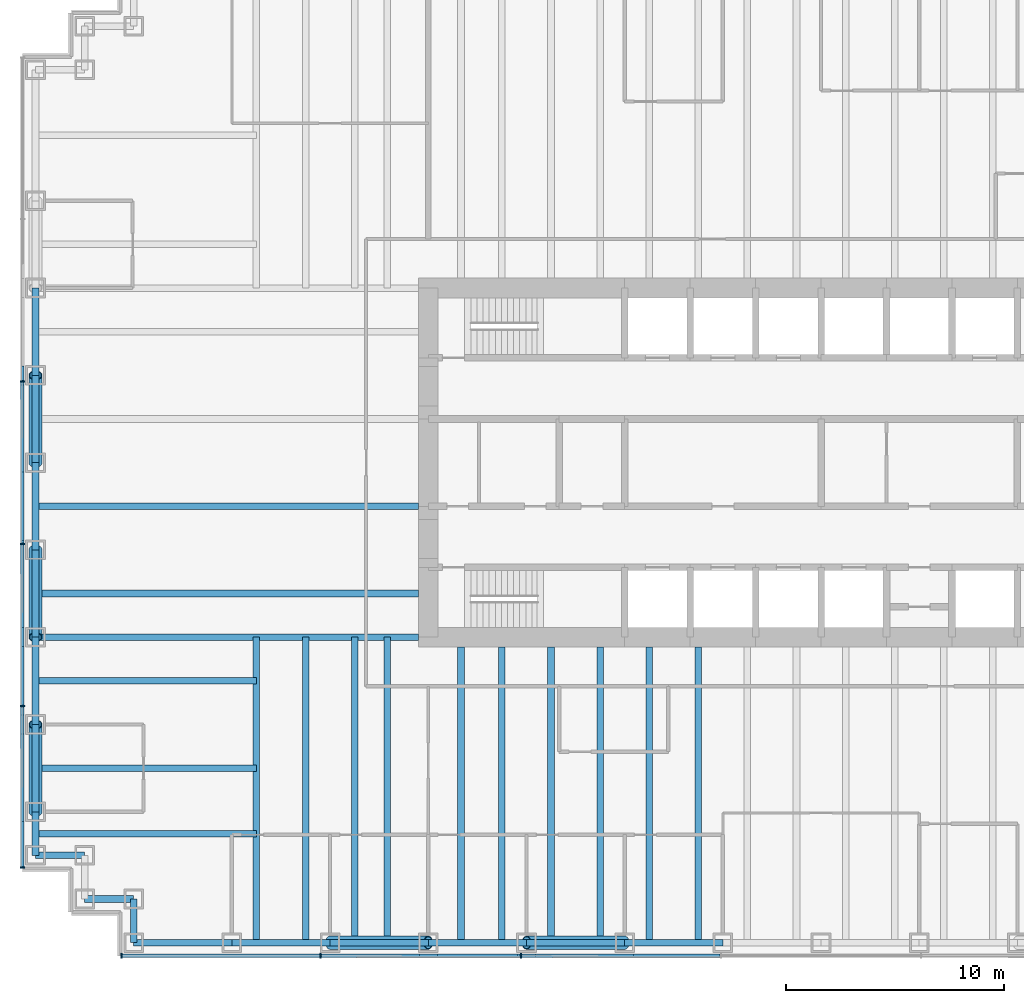
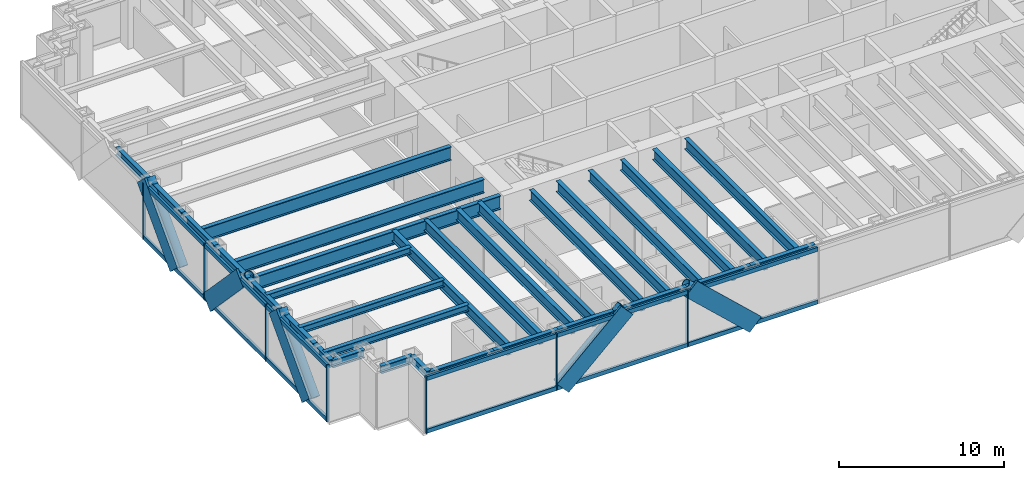
# One storey, part 2 of 15: 32 beams, 29 members, 2 elements without a shape of their own.
"""IFC4 building model written with IfcOpenShell, lengths in metres."""

from ifc_helpers import new_model, si_unit, direction, frame, origin, origin_2d, place, context, subcontext, project, spatial, rectangle, hollow_circle, i_section, extrude, material, material_profile, profile_set, type_object, element, aggregate, save


model = new_model("IFC4")

# Units and contexts
model_context = context("Model", 3, precision=1e-05, world=origin(), true_north=direction((0.0, 1.0)))
body_context = subcontext(model_context, "Body", "Model", "MODEL_VIEW")
ifc_project = project(units=[si_unit("LENGTHUNIT", "METRE"), si_unit("AREAUNIT", "SQUARE_METRE"), si_unit("VOLUMEUNIT", "CUBIC_METRE"), si_unit("PLANEANGLEUNIT", "RADIAN"), si_unit("MASSUNIT", "GRAM", prefix="KILO")], contexts=[model_context])

# Site, building, storey
site_placement = place(None, origin())
site = spatial("IfcSite", under=ifc_project, at=site_placement, CompositionType="ELEMENT")
building_placement = place(site_placement, origin())
building = spatial("IfcBuilding", under=site, at=building_placement, Name="Rheinbord Bourse Tower", CompositionType="ELEMENT")
storey_placement = place(building_placement, frame((0.0, 0.0, 163.5)))
storey = spatial("IfcBuildingStorey", under=building, at=storey_placement, Name="L36", CompositionType="ELEMENT", Elevation=163.5)

# Curtain wall, members
ifc_material_1 = material(Name="Dark glass and black aluminium", Category="aluminium")
curtain_wall_type = type_object("IfcCurtainWallType", Name="CW2 DARK GLASS CURTAIN WALL", PredefinedType="USERDEFINED", material=ifc_material_1)
curtain_wall_1_placement = place(storey_placement, origin())
curtain_wall_1 = element("IfcCurtainWall", 1, at=curtain_wall_1_placement, inside=storey, type_object=curtain_wall_type, Name="Curtain wall CW2 S L36", ObjectType="UNITISED CURTAIN WALL", PredefinedType="USERDEFINED")
ifc_material_2 = material(Name="Black anodised aluminium", Category="aluminium")
ifc_material_profile_1 = material_profile(ifc_material_2, rectangle(XDim=0.159912109375, YDim=1.2099609375, at=origin_2d()), Name="CW2 DIAGONAL MULLION 1210x160")
ifc_profile_set_1 = profile_set([ifc_material_profile_1], Name="Black anodised aluminium")
member_type_1 = type_object("IfcMemberType", Name="CW2 BLACK DIAGONAL MULLION", PredefinedType="USERDEFINED", material=ifc_profile_set_1)
member_1_placement = place(storey_placement, frame((27.0, 1.39990234375, 0.0), z_axis=(-0.73105922506, 0.0, 0.682314010889), x_axis=(0.0, -1.0, 0.0)))
member_1 = element("IfcMember", 2, at=member_1_placement, type_object=member_type_1, Name="CW2 diagonal mullion b", ObjectType="DIAGONAL MULLION", PredefinedType="USERDEFINED", context=body_context, shape_type="SweptSolid", body=[
    extrude(rectangle(XDim=0.159912109375, YDim=1.2099609375, at=origin_2d()), origin(), (0.0, 0.0, 1.0), 6.155517578125),
])
member_2_placement = place(storey_placement, frame((13.5, 1.39990234375, 0.0), z_axis=(0.73105922506, 0.0, 0.682314010889), x_axis=(0.0, 1.0, 0.0)))
member_2 = element("IfcMember", 3, at=member_2_placement, type_object=member_type_1, Name="CW2 diagonal mullion d", ObjectType="DIAGONAL MULLION", PredefinedType="USERDEFINED", context=body_context, shape_type="SweptSolid", body=[
    extrude(rectangle(XDim=0.159912109375, YDim=1.2099609375, at=origin_2d()), origin(), (0.0, 0.0, 1.0), 6.155517578125),
])

curtain_wall_2_placement = place(storey_placement, origin())
curtain_wall_2 = element("IfcCurtainWall", 4, at=curtain_wall_2_placement, inside=storey, type_object=curtain_wall_type, Name="Curtain wall CW2 W L36", ObjectType="UNITISED CURTAIN WALL", PredefinedType="USERDEFINED")
member_3_placement = place(storey_placement, frame((-0.60009765625, 8.0, 0.0), z_axis=(0.0, 0.689659376744, 0.724133926887), x_axis=(-1.0, 0.0, 0.0)))
member_3 = element("IfcMember", 5, at=member_3_placement, type_object=member_type_1, Name="CW2 diagonal mullion a", ObjectType="DIAGONAL MULLION", PredefinedType="USERDEFINED", context=body_context, shape_type="SweptSolid", body=[
    extrude(rectangle(XDim=0.159912109375, YDim=1.2099609375, at=origin_2d()), origin(), (0.0, 0.0, 1.0), 5.800048828125),
])
member_4_placement = place(storey_placement, frame((-0.60009765625, 24.0, 0.0), z_axis=(0.0, 0.689659376744, 0.724133926887), x_axis=(-1.0, 0.0, 0.0)))
member_4 = element("IfcMember", 6, at=member_4_placement, type_object=member_type_1, Name="CW2 diagonal mullion c", ObjectType="DIAGONAL MULLION", PredefinedType="USERDEFINED", context=body_context, shape_type="SweptSolid", body=[
    extrude(rectangle(XDim=0.159912109375, YDim=1.2099609375, at=origin_2d()), origin(), (0.0, 0.0, 1.0), 5.800048828125),
])
member_5_placement = place(storey_placement, frame((-0.60009765625, 20.0, 0.0), z_axis=(0.0, -0.689659376744, 0.724133926887), x_axis=(1.0, 0.0, 0.0)))
member_5 = element("IfcMember", 7, at=member_5_placement, type_object=member_type_1, Name="CW2 diagonal mullion d", ObjectType="DIAGONAL MULLION", PredefinedType="USERDEFINED", context=body_context, shape_type="SweptSolid", body=[
    extrude(rectangle(XDim=0.159912109375, YDim=1.2099609375, at=origin_2d()), origin(), (0.0, 0.0, 1.0), 5.800048828125),
])

# Member
ifc_material_3 = material(Name="Black anodised aluminium", Category="aluminium")
ifc_material_profile_2 = material_profile(ifc_material_3, rectangle(XDim=0.219970703125, YDim=0.070068359375, at=origin_2d()), Name="CW2 MULLION 70x220")
ifc_profile_set_2 = profile_set([ifc_material_profile_2], Name="Black anodised aluminium")
member_type_2 = type_object("IfcMemberType", Name="CW2 BLACK MULLION", PredefinedType="MULLION", material=ifc_profile_set_2)
member_6_placement = place(storey_placement, frame((3.93505859375, 1.39990234375, 0.0), z_axis=(0.0, 0.0, 1.0), x_axis=(0.0, 1.0, 0.0)))
member_6 = element("IfcMember", 8, at=member_6_placement, type_object=member_type_2, Name="CW2 mullion 1", PredefinedType="MULLION", context=body_context, shape_type="SweptSolid", body=[
    extrude(rectangle(XDim=0.219970703125, YDim=0.070068359375, at=origin_2d()), origin(), (0.0, 0.0, 1.0), 4.199951171875),
])

member_7_placement = place(storey_placement, frame((13.071533203125, 1.39990234375, 0.0), z_axis=(0.0, 0.0, 1.0), x_axis=(0.0, 1.0, 0.0)))
member_7 = element("IfcMember", 9, at=member_7_placement, type_object=member_type_2, Name="CW2 mullion 2", PredefinedType="MULLION", context=body_context, shape_type="SweptSolid", body=[
    extrude(rectangle(XDim=0.219970703125, YDim=0.070068359375, at=origin_2d()), origin(), (0.0, 0.0, 1.0), 4.199951171875),
])

member_8_placement = place(storey_placement, frame((22.242919921875, 1.39990234375, 0.0), z_axis=(0.0, 0.0, 1.0), x_axis=(0.0, 1.0, 0.0)))
member_8 = element("IfcMember", 10, at=member_8_placement, type_object=member_type_2, Name="CW2 mullion 3", PredefinedType="MULLION", context=body_context, shape_type="SweptSolid", body=[
    extrude(rectangle(XDim=0.219970703125, YDim=0.070068359375, at=origin_2d()), origin(), (0.0, 0.0, 1.0), 4.199951171875),
])

member_9_placement = place(storey_placement, frame((-0.60009765625, 27.719970703125, 0.0), z_axis=(0.0, 0.0, 1.0), x_axis=(1.0, 0.0, 0.0)))
member_9 = element("IfcMember", 11, at=member_9_placement, type_object=member_type_2, Name="CW2 mullion 3", PredefinedType="MULLION", context=body_context, shape_type="SweptSolid", body=[
    extrude(rectangle(XDim=0.219970703125, YDim=0.070068359375, at=origin_2d()), origin(), (0.0, 0.0, 1.0), 4.199951171875),
])

member_10_placement = place(storey_placement, frame((-0.60009765625, 20.280029296875, 0.0), z_axis=(0.0, 0.0, 1.0), x_axis=(1.0, 0.0, 0.0)))
member_10 = element("IfcMember", 12, at=member_10_placement, type_object=member_type_2, Name="CW2 mullion 4", PredefinedType="MULLION", context=body_context, shape_type="SweptSolid", body=[
    extrude(rectangle(XDim=0.219970703125, YDim=0.070068359375, at=origin_2d()), origin(), (0.0, 0.0, 1.0), 4.199951171875),
])

member_11_placement = place(storey_placement, frame((-0.60009765625, 12.840087890625, 0.0), z_axis=(0.0, 0.0, 1.0), x_axis=(1.0, 0.0, 0.0)))
member_11 = element("IfcMember", 13, at=member_11_placement, type_object=member_type_2, Name="CW2 mullion 5", PredefinedType="MULLION", context=body_context, shape_type="SweptSolid", body=[
    extrude(rectangle(XDim=0.219970703125, YDim=0.070068359375, at=origin_2d()), origin(), (0.0, 0.0, 1.0), 4.199951171875),
])

member_12_placement = place(storey_placement, frame((-0.60009765625, 5.43505859375, 0.0), z_axis=(0.0, 0.0, 1.0), x_axis=(1.0, 0.0, 0.0)))
member_12 = element("IfcMember", 14, at=member_12_placement, type_object=member_type_2, Name="CW2 mullion 6", PredefinedType="MULLION", context=body_context, shape_type="SweptSolid", body=[
    extrude(rectangle(XDim=0.219970703125, YDim=0.070068359375, at=origin_2d()), origin(), (0.0, 0.0, 1.0), 4.199951171875),
])

ifc_material_4 = material(Name="Black anodised aluminium", Category="aluminium")
ifc_material_profile_3 = material_profile(ifc_material_4, rectangle(XDim=0.159912109375, YDim=0.300048828125, at=origin_2d()), Name="CW2 TRANSOM 300x160")
ifc_profile_set_3 = profile_set([ifc_material_profile_3], Name="Black anodised aluminium")
member_type_3 = type_object("IfcMemberType", Name="CW2 BLACK TRANSOM", PredefinedType="USERDEFINED", material=ifc_profile_set_3)
member_13_placement = place(storey_placement, frame((3.969970703125, 1.39990234375, 0.14990234375), z_axis=(1.0, 0.0, 0.0), x_axis=(0.0, 1.0, 0.0)))
member_13 = element("IfcMember", 15, at=member_13_placement, type_object=member_type_3, Name="CW2 transom 1.1", ObjectType="TRANSOM", PredefinedType="USERDEFINED", context=body_context, shape_type="SweptSolid", body=[
    extrude(rectangle(XDim=0.159912109375, YDim=0.300048828125, at=origin_2d()), origin(), (0.0, 0.0, 1.0), 9.06640625),
])

member_14_placement = place(storey_placement, frame((3.969970703125, 1.39990234375, 4.050048828125), z_axis=(1.0, 0.0, 0.0), x_axis=(0.0, 1.0, 0.0)))
member_14 = element("IfcMember", 16, at=member_14_placement, type_object=member_type_3, Name="CW2 transom 1.2", ObjectType="TRANSOM", PredefinedType="USERDEFINED", context=body_context, shape_type="SweptSolid", body=[
    extrude(rectangle(XDim=0.159912109375, YDim=0.300048828125, at=origin_2d()), origin(), (0.0, 0.0, 1.0), 9.06640625),
])

member_15_placement = place(storey_placement, frame((13.1064453125, 1.39990234375, 0.14990234375), z_axis=(1.0, 0.0, 0.0), x_axis=(0.0, 1.0, 0.0)))
member_15 = element("IfcMember", 17, at=member_15_placement, type_object=member_type_3, Name="CW2 transom 2.1", ObjectType="TRANSOM", PredefinedType="USERDEFINED", context=body_context, shape_type="SweptSolid", body=[
    extrude(rectangle(XDim=0.159912109375, YDim=0.300048828125, at=origin_2d()), origin(), (0.0, 0.0, 1.0), 9.101318359375),
])

member_16_placement = place(storey_placement, frame((13.1064453125, 1.39990234375, 4.050048828125), z_axis=(1.0, 0.0, 0.0), x_axis=(0.0, 1.0, 0.0)))
member_16 = element("IfcMember", 18, at=member_16_placement, type_object=member_type_3, Name="CW2 transom 2.2", ObjectType="TRANSOM", PredefinedType="USERDEFINED", context=body_context, shape_type="SweptSolid", body=[
    extrude(rectangle(XDim=0.159912109375, YDim=0.300048828125, at=origin_2d()), origin(), (0.0, 0.0, 1.0), 9.101318359375),
])

member_17_placement = place(storey_placement, frame((22.27783203125, 1.39990234375, 0.14990234375), z_axis=(1.0, 0.0, 0.0), x_axis=(0.0, 1.0, 0.0)))
member_17 = element("IfcMember", 19, at=member_17_placement, type_object=member_type_3, Name="CW2 transom 3.1", ObjectType="TRANSOM", PredefinedType="USERDEFINED", context=body_context, shape_type="SweptSolid", body=[
    extrude(rectangle(XDim=0.159912109375, YDim=0.300048828125, at=origin_2d()), origin(), (0.0, 0.0, 1.0), 9.1015625),
])

member_18_placement = place(storey_placement, frame((22.27783203125, 1.39990234375, 4.050048828125), z_axis=(1.0, 0.0, 0.0), x_axis=(0.0, 1.0, 0.0)))
member_18 = element("IfcMember", 20, at=member_18_placement, type_object=member_type_3, Name="CW2 transom 3.2", ObjectType="TRANSOM", PredefinedType="USERDEFINED", context=body_context, shape_type="SweptSolid", body=[
    extrude(rectangle(XDim=0.159912109375, YDim=0.300048828125, at=origin_2d()), origin(), (0.0, 0.0, 1.0), 9.1015625),
])

aggregate(curtain_wall_1, [member_6, member_7, member_8, member_13, member_14, member_15, member_16, member_17, member_18, member_1, member_2])

member_19_placement = place(storey_placement, frame((-0.60009765625, 27.68505859375, 0.14990234375), z_axis=(0.0, -1.0, 0.0), x_axis=(1.0, 0.0, 0.0)))
member_19 = element("IfcMember", 21, at=member_19_placement, type_object=member_type_3, Name="CW2 transom 3.1", ObjectType="TRANSOM", PredefinedType="USERDEFINED", context=body_context, shape_type="SweptSolid", body=[
    extrude(rectangle(XDim=0.159912109375, YDim=0.300048828125, at=origin_2d()), origin(), (0.0, 0.0, 1.0), 7.3701171875),
])

member_20_placement = place(storey_placement, frame((-0.60009765625, 27.68505859375, 4.050048828125), z_axis=(0.0, -1.0, 0.0), x_axis=(1.0, 0.0, 0.0)))
member_20 = element("IfcMember", 22, at=member_20_placement, type_object=member_type_3, Name="CW2 transom 3.2", ObjectType="TRANSOM", PredefinedType="USERDEFINED", context=body_context, shape_type="SweptSolid", body=[
    extrude(rectangle(XDim=0.159912109375, YDim=0.300048828125, at=origin_2d()), origin(), (0.0, 0.0, 1.0), 7.3701171875),
])

member_21_placement = place(storey_placement, frame((-0.60009765625, 20.2451171875, 0.14990234375), z_axis=(0.0, -1.0, 0.0), x_axis=(1.0, 0.0, 0.0)))
member_21 = element("IfcMember", 23, at=member_21_placement, type_object=member_type_3, Name="CW2 transom 4.1", ObjectType="TRANSOM", PredefinedType="USERDEFINED", context=body_context, shape_type="SweptSolid", body=[
    extrude(rectangle(XDim=0.159912109375, YDim=0.300048828125, at=origin_2d()), origin(), (0.0, 0.0, 1.0), 7.3701171875),
])

member_22_placement = place(storey_placement, frame((-0.60009765625, 20.2451171875, 4.050048828125), z_axis=(0.0, -1.0, 0.0), x_axis=(1.0, 0.0, 0.0)))
member_22 = element("IfcMember", 24, at=member_22_placement, type_object=member_type_3, Name="CW2 transom 4.2", ObjectType="TRANSOM", PredefinedType="USERDEFINED", context=body_context, shape_type="SweptSolid", body=[
    extrude(rectangle(XDim=0.159912109375, YDim=0.300048828125, at=origin_2d()), origin(), (0.0, 0.0, 1.0), 7.3701171875),
])

member_23_placement = place(storey_placement, frame((-0.60009765625, 12.804931640625, 0.14990234375), z_axis=(0.0, -1.0, 0.0), x_axis=(1.0, 0.0, 0.0)))
member_23 = element("IfcMember", 25, at=member_23_placement, type_object=member_type_3, Name="CW2 transom 5.1", ObjectType="TRANSOM", PredefinedType="USERDEFINED", context=body_context, shape_type="SweptSolid", body=[
    extrude(rectangle(XDim=0.159912109375, YDim=0.300048828125, at=origin_2d()), origin(), (0.0, 0.0, 1.0), 7.3349609375),
])

member_24_placement = place(storey_placement, frame((-0.60009765625, 12.804931640625, 4.050048828125), z_axis=(0.0, -1.0, 0.0), x_axis=(1.0, 0.0, 0.0)))
member_24 = element("IfcMember", 26, at=member_24_placement, type_object=member_type_3, Name="CW2 transom 5.2", ObjectType="TRANSOM", PredefinedType="USERDEFINED", context=body_context, shape_type="SweptSolid", body=[
    extrude(rectangle(XDim=0.159912109375, YDim=0.300048828125, at=origin_2d()), origin(), (0.0, 0.0, 1.0), 7.3349609375),
])

aggregate(curtain_wall_2, [member_9, member_10, member_11, member_12, member_19, member_20, member_21, member_22, member_23, member_24, member_3, member_4, member_5])

# Beams
ifc_material_5 = material(Name="Steel S460", Category="steel")
ifc_material_profile_4 = material_profile(ifc_material_5, i_section(OverallWidth=0.302001953125, OverallDepth=1.008056640625, WebThickness=0.02099609375, FlangeThickness=0.0400390625, at=origin_2d()), Name="HEM 1000")
ifc_profile_set_4 = profile_set([ifc_material_profile_4], Name="Steel S460")
beam_type_1 = type_object("IfcBeamType", Name="END BEAM HEM 1000", PredefinedType="BEAM", material=ifc_profile_set_4)
for number, where, z_axis, x_axis, name in (
    (27, (0.0, 18.0, 3.535888671875), (1.0, 0.0, 0.0), (0.0, 1.0, 0.0), "End beam west 18 L37"),
    (28, (0.0, 22.0, 3.535888671875), (1.0, 0.0, 0.0), (0.0, 1.0, 0.0), "End beam west 22 L37"),
):
    element("IfcBeam", number, at=place(storey_placement, frame(where, z_axis=z_axis, x_axis=x_axis)), inside=storey, type_object=beam_type_1, Name=name, PredefinedType="BEAM", context=body_context, shape_type="SweptSolid", body=[
        extrude(i_section(OverallWidth=0.302001953125, OverallDepth=1.008056640625, WebThickness=0.02099609375, FlangeThickness=0.0400390625, at=origin_2d()), origin(), (0.0, 0.0, 1.0), 17.550048828125),
    ])
ifc_material_6 = material(Name="Steel S460", Category="steel")
ifc_material_profile_5 = material_profile(ifc_material_6, i_section(OverallWidth=0.300048828125, OverallDepth=0.800048828125, WebThickness=0.017578125, FlangeThickness=0.032958984375, at=origin_2d()), Name="HEB 800")
ifc_profile_set_5 = profile_set([ifc_material_profile_5], Name="Steel S460")
beam_type_2 = type_object("IfcBeamType", Name="FLOOR BEAM HEB 800", PredefinedType="BEAM", material=ifc_profile_set_5)
for number, where, z_axis, x_axis, name in (
    (29, (10.125, 2.0, 3.639892578125), (0.0, 1.0, 0.0), (-1.0, 0.0, 0.0), "Floor beam S-9a L37"),
    (30, (12.375, 2.0, 3.639892578125), (0.0, 1.0, 0.0), (-1.0, 0.0, 0.0), "Floor beam S-9b L37"),
    (31, (14.625, 2.0, 3.639892578125), (0.0, 1.0, 0.0), (-1.0, 0.0, 0.0), "Floor beam S-13.5a L37"),
    (32, (16.125, 2.0, 3.639892578125), (0.0, 1.0, 0.0), (-1.0, 0.0, 0.0), "Floor beam S-13.5b L37"),
):
    element("IfcBeam", number, at=place(storey_placement, frame(where, z_axis=z_axis, x_axis=x_axis)), inside=storey, type_object=beam_type_2, Name=name, PredefinedType="BEAM", context=body_context, shape_type="SweptSolid", body=[
        extrude(i_section(OverallWidth=0.300048828125, OverallDepth=0.800048828125, WebThickness=0.017578125, FlangeThickness=0.032958984375, at=origin_2d()), origin(), (0.0, 0.0, 1.0), 14.0),
    ])
for number, where, z_axis, x_axis, name in (
    (33, (19.5, 2.0, 3.639892578125), (0.0, 1.0, 0.0), (-1.0, 0.0, 0.0), "Floor beam S-18a L37"),
    (34, (21.375, 2.0, 3.639892578125), (0.0, 1.0, 0.0), (-1.0, 0.0, 0.0), "Floor beam S-18b L37"),
    (35, (23.625, 2.0, 3.639892578125), (0.0, 1.0, 0.0), (-1.0, 0.0, 0.0), "Floor beam S-22.5a L37"),
    (36, (25.875, 2.0, 3.639892578125), (0.0, 1.0, 0.0), (-1.0, 0.0, 0.0), "Floor beam S-22.5b L37"),
    (37, (28.125, 2.0, 3.639892578125), (0.0, 1.0, 0.0), (-1.0, 0.0, 0.0), "Floor beam S-27a L37"),
    (38, (30.375, 2.0, 3.639892578125), (0.0, 1.0, 0.0), (-1.0, 0.0, 0.0), "Floor beam S-27b L37"),
):
    element("IfcBeam", number, at=place(storey_placement, frame(where, z_axis=z_axis, x_axis=x_axis)), inside=storey, type_object=beam_type_2, Name=name, PredefinedType="BEAM", context=body_context, shape_type="SweptSolid", body=[
        extrude(i_section(OverallWidth=0.300048828125, OverallDepth=0.800048828125, WebThickness=0.017578125, FlangeThickness=0.032958984375, at=origin_2d()), origin(), (0.0, 0.0, 1.0), 13.550048828125),
    ])
ifc_material_7 = material(Name="Steel S460", Category="steel")
ifc_material_profile_6 = material_profile(ifc_material_7, i_section(OverallWidth=0.302001953125, OverallDepth=1.008056640625, WebThickness=0.02099609375, FlangeThickness=0.0400390625, at=origin_2d()), Name="HEM 1000")
ifc_profile_set_6 = profile_set([ifc_material_profile_6], Name="Steel S460")
beam_type_3 = type_object("IfcBeamType", Name="GIRDER HEM 1000", PredefinedType="BEAM", material=ifc_profile_set_6)
beam_1_placement = place(storey_placement, frame((0.0, 16.0, 3.535888671875), z_axis=(1.0, 0.0, 0.0), x_axis=(0.0, 1.0, 0.0)))
element("IfcBeam", 39, at=beam_1_placement, inside=storey, type_object=beam_type_3, Name="Girder west 16 L37", PredefinedType="BEAM", context=body_context, shape_type="SweptSolid", body=[
    extrude(i_section(OverallWidth=0.302001953125, OverallDepth=1.008056640625, WebThickness=0.02099609375, FlangeThickness=0.0400390625, at=origin_2d()), origin(), (0.0, 0.0, 1.0), 17.550048828125),
])

# Members
ifc_material_8 = material(Name="Steel S460", Category="steel")
ifc_material_profile_7 = material_profile(ifc_material_8, hollow_circle(Radius=0.304931640625, WallThickness=0.0400390625, at=origin_2d()), Name="CHS 610x40")
ifc_profile_set_7 = profile_set([ifc_material_profile_7], Name="Steel S460")
member_type_4 = type_object("IfcMemberType", Name="MEGABRACE CHS 610x40", PredefinedType="BRACE", material=ifc_profile_set_7)
for number, where, z_axis, x_axis, name in (
    (40, (27.0, 2.0, 0.0), (-0.73105922506, 0.0, 0.682314010889), (0.0, -1.0, 0.0), "Megabrace S face line b L36"),
    (41, (13.5, 2.0, 0.0), (0.73105922506, 0.0, 0.682314010889), (0.0, 1.0, 0.0), "Megabrace S face line d L36"),
):
    element("IfcMember", number, at=place(storey_placement, frame(where, z_axis=z_axis, x_axis=x_axis)), inside=storey, type_object=member_type_4, Name=name, PredefinedType="BRACE", context=body_context, shape_type="SweptSolid", body=[
        extrude(hollow_circle(Radius=0.304931640625, WallThickness=0.0400390625, at=origin_2d()), origin(), (0.0, 0.0, 1.0), 6.155517578125),
    ])
for number, where, z_axis, x_axis, name in (
    (42, (0.0, 8.0, 0.0), (0.0, 0.689659376744, 0.724133926887), (-1.0, 0.0, 0.0), "Megabrace W face line a L36"),
    (43, (0.0, 24.0, 0.0), (0.0, 0.689659376744, 0.724133926887), (-1.0, 0.0, 0.0), "Megabrace W face line c L36"),
    (44, (0.0, 20.0, 0.0), (0.0, -0.689659376744, 0.724133926887), (1.0, 0.0, 0.0), "Megabrace W face line d L36"),
):
    element("IfcMember", number, at=place(storey_placement, frame(where, z_axis=z_axis, x_axis=x_axis)), inside=storey, type_object=member_type_4, Name=name, PredefinedType="BRACE", context=body_context, shape_type="SweptSolid", body=[
        extrude(hollow_circle(Radius=0.304931640625, WallThickness=0.0400390625, at=origin_2d()), origin(), (0.0, 0.0, 1.0), 5.800048828125),
    ])

# Beams
ifc_material_9 = material(Name="Steel S460", Category="steel")
ifc_material_profile_8 = material_profile(ifc_material_9, i_section(OverallWidth=0.305908203125, OverallDepth=0.572021484375, WebThickness=0.02099609375, FlangeThickness=0.0400390625, at=origin_2d()), Name="HEM 550")
ifc_profile_set_8 = profile_set([ifc_material_profile_8], Name="Steel S460")
beam_type_4 = type_object("IfcBeamType", Name="SPANDREL HEM 550", PredefinedType="SPANDREL", material=ifc_profile_set_8)
for number, where, z_axis, x_axis, name in (
    (45, (4.5, 2.0, 3.75390625), (1.0, 0.0, 0.0), (0.0, 1.0, 0.0), "Spandrel SW-E-S-9 under L37"),
    (46, (9.0, 2.0, 3.75390625), (1.0, 0.0, 0.0), (0.0, 1.0, 0.0), "Spandrel S-9-S-13.5 under L37"),
    (47, (13.5, 2.0, 3.75390625), (1.0, 0.0, 0.0), (0.0, 1.0, 0.0), "Spandrel S-13.5-S-18 under L37"),
    (48, (18.0, 2.0, 3.75390625), (1.0, 0.0, 0.0), (0.0, 1.0, 0.0), "Spandrel S-18-S-22.5 under L37"),
    (49, (22.5, 2.0, 3.75390625), (1.0, 0.0, 0.0), (0.0, 1.0, 0.0), "Spandrel S-22.5-S-27 under L37"),
    (50, (27.0, 2.0, 3.75390625), (1.0, 0.0, 0.0), (0.0, 1.0, 0.0), "Spandrel S-27-S-31.5 under L37"),
):
    element("IfcBeam", number, at=place(storey_placement, frame(where, z_axis=z_axis, x_axis=x_axis)), inside=storey, type_object=beam_type_4, Name=name, PredefinedType="SPANDREL", context=body_context, shape_type="SweptSolid", body=[
        extrude(i_section(OverallWidth=0.305908203125, OverallDepth=0.572021484375, WebThickness=0.02099609375, FlangeThickness=0.0400390625, at=origin_2d()), origin(), (0.0, 0.0, 1.0), 4.5),
    ])
for number, where, z_axis, x_axis, name in (
    (51, (0.0, 32.0, 3.75390625), (0.0, -1.0, 0.0), (1.0, 0.0, 0.0), "Spandrel W-32-W-28 under L37"),
    (52, (0.0, 28.0, 3.75390625), (0.0, -1.0, 0.0), (1.0, 0.0, 0.0), "Spandrel W-28-W-24 under L37"),
    (53, (0.0, 24.0, 3.75390625), (0.0, -1.0, 0.0), (1.0, 0.0, 0.0), "Spandrel W-24-W-20 under L37"),
    (54, (0.0, 20.0, 3.75390625), (0.0, -1.0, 0.0), (1.0, 0.0, 0.0), "Spandrel W-20-W-16 under L37"),
    (55, (0.0, 16.0, 3.75390625), (0.0, -1.0, 0.0), (1.0, 0.0, 0.0), "Spandrel W-16-W-12 under L37"),
    (56, (0.0, 12.0, 3.75390625), (0.0, -1.0, 0.0), (1.0, 0.0, 0.0), "Spandrel W-12-W-8 under L37"),
):
    element("IfcBeam", number, at=place(storey_placement, frame(where, z_axis=z_axis, x_axis=x_axis)), inside=storey, type_object=beam_type_4, Name=name, PredefinedType="SPANDREL", context=body_context, shape_type="SweptSolid", body=[
        extrude(i_section(OverallWidth=0.305908203125, OverallDepth=0.572021484375, WebThickness=0.02099609375, FlangeThickness=0.0400390625, at=origin_2d()), origin(), (0.0, 0.0, 1.0), 4.0),
    ])
beam_2_placement = place(storey_placement, frame((0.0, 8.0, 3.75390625), z_axis=(0.0, -1.0, 0.0), x_axis=(1.0, 0.0, 0.0)))
element("IfcBeam", 57, at=beam_2_placement, inside=storey, type_object=beam_type_4, Name="Spandrel W-8-SW-A under L37", PredefinedType="SPANDREL", context=body_context, shape_type="SweptSolid", body=[
    extrude(i_section(OverallWidth=0.305908203125, OverallDepth=0.572021484375, WebThickness=0.02099609375, FlangeThickness=0.0400390625, at=origin_2d()), origin(), (0.0, 0.0, 1.0), 2.0),
])
for number, where, z_axis, x_axis, name in (
    (58, (0.0, 6.0, 3.75390625), (1.0, 0.0, 0.0), (0.0, 1.0, 0.0), "Spandrel SW-A-SW-B under L37"),
    (59, (2.25, 4.0, 3.75390625), (1.0, 0.0, 0.0), (0.0, 1.0, 0.0), "Spandrel SW-C-SW-D under L37"),
):
    element("IfcBeam", number, at=place(storey_placement, frame(where, z_axis=z_axis, x_axis=x_axis)), inside=storey, type_object=beam_type_4, Name=name, PredefinedType="SPANDREL", context=body_context, shape_type="SweptSolid", body=[
        extrude(i_section(OverallWidth=0.305908203125, OverallDepth=0.572021484375, WebThickness=0.02099609375, FlangeThickness=0.0400390625, at=origin_2d()), origin(), (0.0, 0.0, 1.0), 2.25),
    ])
beam_3_placement = place(storey_placement, frame((4.5, 4.0, 3.75390625), z_axis=(0.0, -1.0, 0.0), x_axis=(1.0, 0.0, 0.0)))
element("IfcBeam", 60, at=beam_3_placement, inside=storey, type_object=beam_type_4, Name="Spandrel SW-D-SW-E under L37", PredefinedType="SPANDREL", context=body_context, shape_type="SweptSolid", body=[
    extrude(i_section(OverallWidth=0.305908203125, OverallDepth=0.572021484375, WebThickness=0.02099609375, FlangeThickness=0.0400390625, at=origin_2d()), origin(), (0.0, 0.0, 1.0), 2.0),
])
ifc_material_10 = material(Name="Steel S460", Category="steel")
ifc_material_profile_9 = material_profile(ifc_material_10, i_section(OverallWidth=0.300048828125, OverallDepth=0.5, WebThickness=0.014404296875, FlangeThickness=0.028076171875, at=origin_2d()), Name="HEB 500")
ifc_profile_set_9 = profile_set([ifc_material_profile_9], Name="Steel S460")
beam_type_5 = type_object("IfcBeamType", Name="TIE BEAM HEB 500", PredefinedType="JOIST", material=ifc_profile_set_9)
for number, where, z_axis, x_axis, name in (
    (61, (0.0, 7.0, 3.7900390625), (1.0, 0.0, 0.0), (0.0, 1.0, 0.0), "Tie west 7 L37"),
    (62, (0.0, 10.0, 3.7900390625), (1.0, 0.0, 0.0), (0.0, 1.0, 0.0), "Tie west 10 L37"),
    (63, (0.0, 14.0, 3.7900390625), (1.0, 0.0, 0.0), (0.0, 1.0, 0.0), "Tie west 14 L37"),
):
    element("IfcBeam", number, at=place(storey_placement, frame(where, z_axis=z_axis, x_axis=x_axis)), inside=storey, type_object=beam_type_5, Name=name, PredefinedType="JOIST", context=body_context, shape_type="SweptSolid", body=[
        extrude(i_section(OverallWidth=0.300048828125, OverallDepth=0.5, WebThickness=0.014404296875, FlangeThickness=0.028076171875, at=origin_2d()), origin(), (0.0, 0.0, 1.0), 10.125),
    ])

save(model, "model.ifc")
